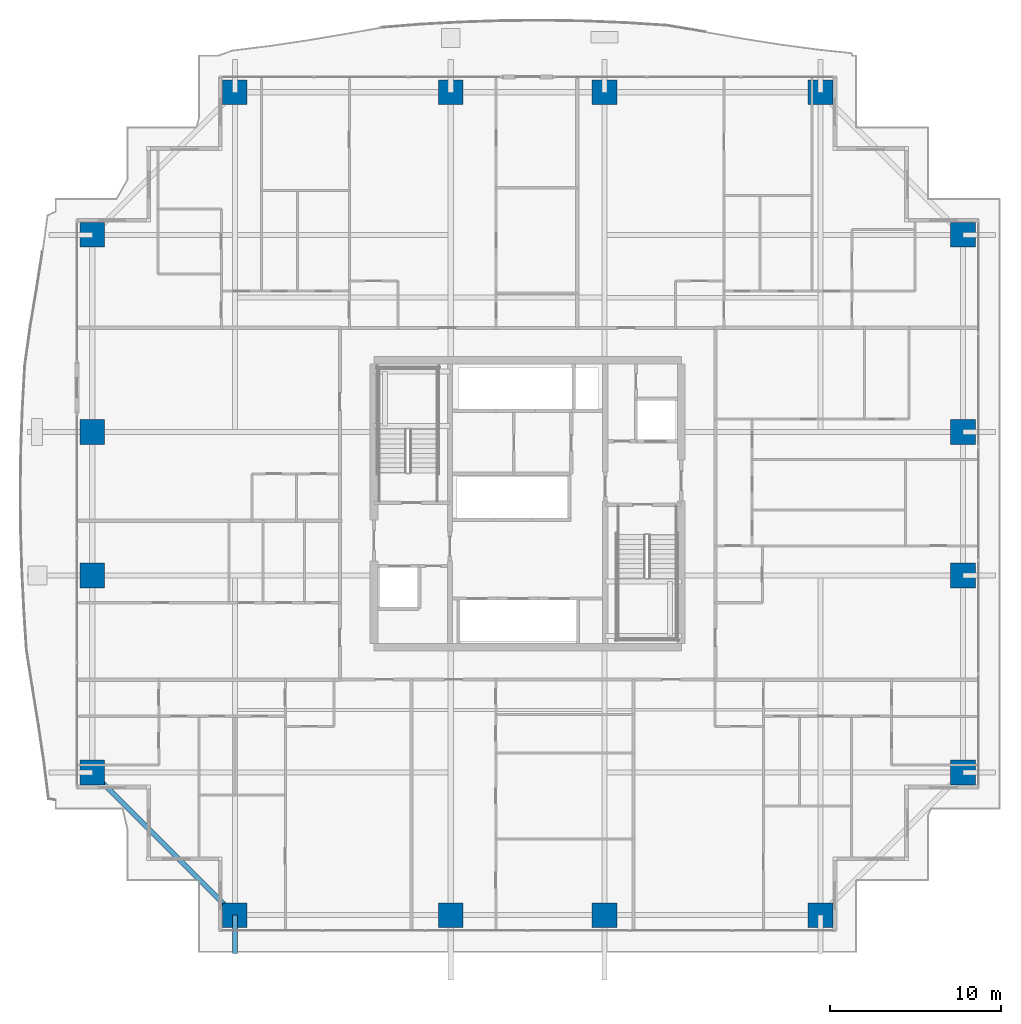
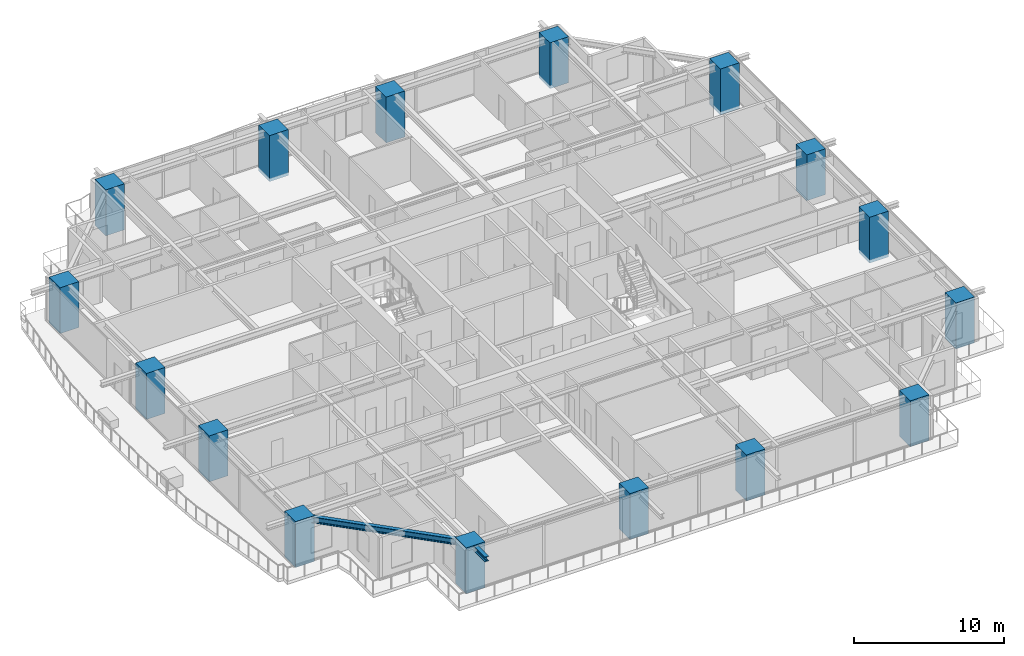
# One storey, part 1 of 35: 16 columns, 2 beams.
"""IFC4 building model written with IfcOpenShell, lengths in metres."""

from ifc_helpers import new_model, si_unit, direction, frame, origin, origin_2d, place, context, subcontext, project, spatial, rectangle, i_section, extrude, source, transform, mapped, material, material_profile, profile_set, type_object, element, save


model = new_model("IFC4")

# Units and contexts
model_context = context("Model", 3, precision=1e-05, world=origin(), true_north=direction((0.0, 1.0)))
body_context = subcontext(model_context, "Body", "Model", "MODEL_VIEW")
ifc_project = project(units=[si_unit("LENGTHUNIT", "METRE"), si_unit("AREAUNIT", "SQUARE_METRE"), si_unit("VOLUMEUNIT", "CUBIC_METRE"), si_unit("PLANEANGLEUNIT", "RADIAN"), si_unit("MASSUNIT", "GRAM", prefix="KILO")], contexts=[model_context])

# Site, building, storey
site_placement = place(None, origin())
site = spatial("IfcSite", under=ifc_project, at=site_placement, CompositionType="ELEMENT")
building_placement = place(site_placement, origin())
building = spatial("IfcBuilding", under=site, at=building_placement, Name="Serunith Strait Residences", CompositionType="ELEMENT")
storey_placement = place(building_placement, frame((0.0, 0.0, 71.699951171875)))
storey = spatial("IfcBuildingStorey", under=building, at=storey_placement, Name="L17", CompositionType="ELEMENT", Elevation=71.699951171875)

# Columns
ifc_material_1 = material(Name="Concrete C90/105", Category="concrete")
ifc_material_profile_1 = material_profile(ifc_material_1, rectangle(XDim=1.449951171875, YDim=1.449951171875, at=origin_2d()), Name="RC 1450x1450")
ifc_profile_set_1 = profile_set([ifc_material_profile_1], Name="Concrete C90/105")
column_type = type_object("IfcColumnType", Name="COL-RC-1450", PredefinedType="COLUMN", material=ifc_profile_set_1)
shared_shape_1 = source(origin(), body_context, "Body", "SweptSolid", [
    extrude(rectangle(XDim=1.449951171875, YDim=1.449951171875, at=origin_2d()), origin(), (0.0, 0.0, 1.0), 3.75),
])
for number, where, z_axis, x_axis, name in (
    (1, (15.25, 1.10009765625, -0.260009765625), (0.0, 0.0, 1.0), (1.0, 0.0, 0.0), "L17 Tower Mega-Column TC-S1"),
    (2, (27.89990234375, 1.10009765625, -0.260009765625), (0.0, 0.0, 1.0), (1.0, 0.0, 0.0), "L17 Tower Mega-Column TC-S2"),
    (3, (36.89990234375, 1.10009765625, -0.260009765625), (0.0, 0.0, 1.0), (1.0, 0.0, 0.0), "L17 Tower Mega-Column TC-S3"),
    (4, (49.550048828125, 1.10009765625, -0.260009765625), (0.0, 0.0, 1.0), (1.0, 0.0, 0.0), "L17 Tower Mega-Column TC-S4"),
    (5, (15.25, 49.300048828125, -0.260009765625), (0.0, 0.0, 1.0), (1.0, 0.0, 0.0), "L17 Tower Mega-Column TC-N1"),
    (6, (27.89990234375, 49.300048828125, -0.260009765625), (0.0, 0.0, 1.0), (1.0, 0.0, 0.0), "L17 Tower Mega-Column TC-N2"),
    (7, (36.89990234375, 49.300048828125, -0.260009765625), (0.0, 0.0, 1.0), (1.0, 0.0, 0.0), "L17 Tower Mega-Column TC-N3"),
    (8, (49.550048828125, 49.300048828125, -0.260009765625), (0.0, 0.0, 1.0), (1.0, 0.0, 0.0), "L17 Tower Mega-Column TC-N4"),
    (9, (57.89990234375, 9.449951171875, -0.260009765625), (0.0, 0.0, 1.0), (1.0, 0.0, 0.0), "L17 Tower Mega-Column TC-E1"),
    (10, (57.89990234375, 21.0, -0.260009765625), (0.0, 0.0, 1.0), (1.0, 0.0, 0.0), "L17 Tower Mega-Column TC-E2"),
    (11, (57.89990234375, 29.39990234375, -0.260009765625), (0.0, 0.0, 1.0), (1.0, 0.0, 0.0), "L17 Tower Mega-Column TC-E3"),
    (12, (57.89990234375, 40.949951171875, -0.260009765625), (0.0, 0.0, 1.0), (1.0, 0.0, 0.0), "L17 Tower Mega-Column TC-E4"),
    (13, (6.89990234375, 9.449951171875, -0.260009765625), (0.0, 0.0, 1.0), (1.0, 0.0, 0.0), "L17 Tower Mega-Column TC-W1"),
    (14, (6.89990234375, 21.0, -0.260009765625), (0.0, 0.0, 1.0), (1.0, 0.0, 0.0), "L17 Tower Mega-Column TC-W2"),
    (15, (6.89990234375, 29.39990234375, -0.260009765625), (0.0, 0.0, 1.0), (1.0, 0.0, 0.0), "L17 Tower Mega-Column TC-W3"),
    (16, (6.89990234375, 40.949951171875, -0.260009765625), (0.0, 0.0, 1.0), (1.0, 0.0, 0.0), "L17 Tower Mega-Column TC-W4"),
):
    element("IfcColumn", number, at=place(storey_placement, frame(where, z_axis=z_axis, x_axis=x_axis)), inside=storey, type_object=column_type, Name=name, PredefinedType="COLUMN", context=body_context, shape_type="MappedRepresentation", body=[
        mapped(shared_shape_1, transform((0.0, 0.0, 0.0), scale=1.0)),
    ])

# Beams
ifc_material_2 = material(Name="Steel S355J2", Category="steel")
ifc_material_profile_2 = material_profile(ifc_material_2, i_section(OverallWidth=0.300048828125, OverallDepth=0.5, WebThickness=0.014404296875, FlangeThickness=0.028076171875, FilletRadius=0.027099609375, at=origin_2d()), Name="HEB 500")
ifc_profile_set_2 = profile_set([ifc_material_profile_2], Name="Steel S355J2")
beam_type_1 = type_object("IfcBeamType", Name="BM-HEB500", PredefinedType="BEAM", material=ifc_profile_set_2)
shared_shape_2 = source(origin(), body_context, "Body", "SweptSolid", [
    extrude(i_section(OverallWidth=0.300048828125, OverallDepth=0.5, WebThickness=0.014404296875, FlangeThickness=0.028076171875, FilletRadius=0.027099609375, at=origin_2d()), origin(), (0.0, 0.0, 1.0), 11.80859375),
])
beam_1_placement = place(storey_placement, frame((6.89990234375, 9.449951171875, 3.20703125), z_axis=(0.707117118476, -0.707096443746, 0.0), x_axis=(0.707096443746, 0.707117118476, 0.0)))
element("IfcBeam", 17, at=beam_1_placement, inside=storey, type_object=beam_type_1, Name="L17 Perimeter Ring Beam 16", PredefinedType="BEAM", context=body_context, shape_type="MappedRepresentation", body=[
    mapped(shared_shape_2, transform((0.0, 0.0, 0.0), scale=1.0)),
])
ifc_material_profile_3 = material_profile(ifc_material_2, i_section(OverallWidth=0.300048828125, OverallDepth=0.39990234375, WebThickness=0.013427734375, FlangeThickness=0.02392578125, FilletRadius=0.027099609375, at=origin_2d()), Name="HEB 400")
ifc_profile_set_3 = profile_set([ifc_material_profile_3], Name="Steel S355J2")
beam_type_2 = type_object("IfcBeamType", Name="BM-HEB400", PredefinedType="BEAM", material=ifc_profile_set_3)
shared_shape_3 = source(origin(), body_context, "Body", "SweptSolid", [
    extrude(i_section(OverallWidth=0.300048828125, OverallDepth=0.39990234375, WebThickness=0.013427734375, FlangeThickness=0.02392578125, FilletRadius=0.027099609375, at=origin_2d()), origin(), (0.0, 0.0, 1.0), 2.2490234375),
])
beam_2_placement = place(storey_placement, frame((15.25, 1.10009765625, 3.257080078125), z_axis=(0.0, -1.0, 0.0), x_axis=(1.0, 0.0, 0.0)))
element("IfcBeam", 18, at=beam_2_placement, inside=storey, type_object=beam_type_2, Name="L18 Cantilevered Balcony Rib TC-S1", PredefinedType="BEAM", context=body_context, shape_type="MappedRepresentation", body=[
    mapped(shared_shape_3, transform((0.0, 0.0, 0.0), scale=1.0)),
])

save(model, "model.ifc")
